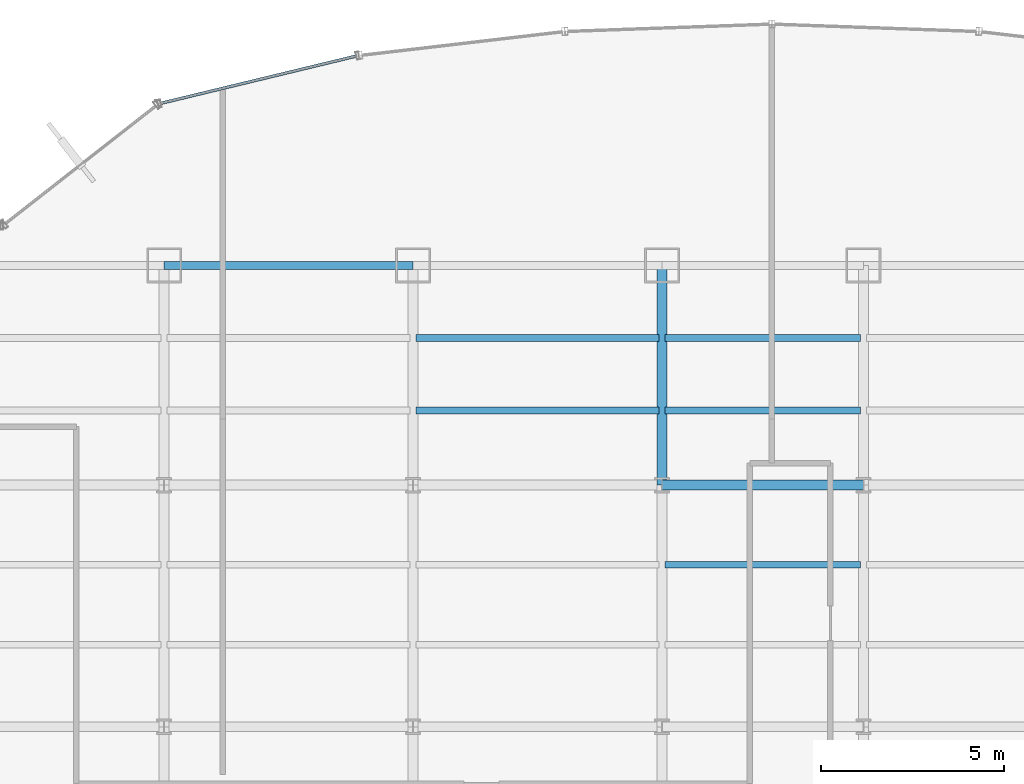
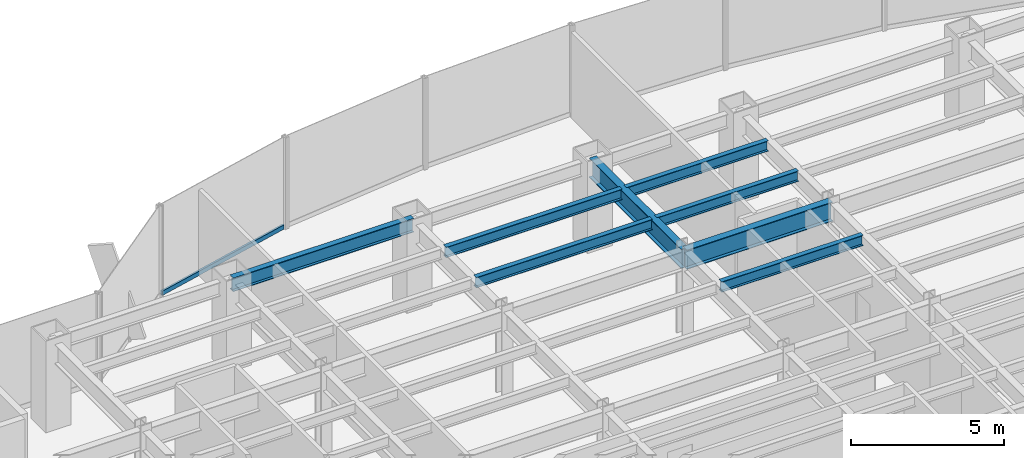
# One storey, part 12 of 23: 8 beams, 1 member, 1 element without a shape of its own.
"""IFC4 building model written with IfcOpenShell, lengths in metres."""

from ifc_helpers import new_model, si_unit, derived_unit, direction, frame, origin, origin_2d, place, context, subcontext, project, spatial, hollow_rectangle, i_section, extrude, source, transform, mapped, material, material_profile, profile_set, type_object, element, aggregate, save


model = new_model("IFC4")

# Units and contexts
model_context = context("Model", 3, precision=1e-05, world=origin(), true_north=direction((0.0, 1.0)))
body_context = subcontext(model_context, "Body", "Model", "MODEL_VIEW")
ifc_project = project(units=[si_unit("LENGTHUNIT", "METRE"), si_unit("AREAUNIT", "SQUARE_METRE"), si_unit("VOLUMEUNIT", "CUBIC_METRE"), si_unit("PLANEANGLEUNIT", "RADIAN"), si_unit("MASSUNIT", "GRAM", prefix="KILO"), derived_unit("THERMALTRANSMITTANCEUNIT", [(si_unit("POWERUNIT", "WATT"), 1), (si_unit("LENGTHUNIT", "METRE"), -2), (si_unit("THERMODYNAMICTEMPERATUREUNIT", "KELVIN"), -1)])], contexts=[model_context])

# Site, building, storey
site_placement = place(None, origin())
site = spatial("IfcSite", under=ifc_project, at=site_placement, CompositionType="ELEMENT")
building_placement = place(site_placement, origin())
building = spatial("IfcBuilding", under=site, at=building_placement, Name="Skarnbrae Concourse Arena and Tower", CompositionType="ELEMENT")
storey_placement = place(building_placement, frame((0.0, 0.0, 43.449951171875)))
storey = spatial("IfcBuildingStorey", under=building, at=storey_placement, Name="L09", CompositionType="ELEMENT", Elevation=43.449951171875)

# Beams
ifc_material_1 = material(Name="Steel CSA G40.21 350W", Category="steel")
ifc_material_profile_1 = material_profile(ifc_material_1, i_section(OverallWidth=0.26806640625, OverallDepth=0.77001953125, WebThickness=0.015625, FlangeThickness=0.025390625, at=origin_2d()), Name="W760X196")
ifc_profile_set_1 = profile_set([ifc_material_profile_1], Name="Steel CSA G40.21 350W")
beam_type_1 = type_object("IfcBeamType", Name="BM-GIRD-W760X196", PredefinedType="BEAM", material=ifc_profile_set_1)
shared_shape_1 = source(origin(), body_context, "Body", "SweptSolid", [
    extrude(i_section(OverallWidth=0.26806640625, OverallDepth=0.77001953125, WebThickness=0.015625, FlangeThickness=0.025390625, at=origin_2d()), origin(), (0.0, 0.0, 1.0), 5.5),
])
beam_1_placement = place(storey_placement, frame((28.0, 34.39990234375, 3.01513671875), z_axis=(1.0, 0.0, 0.0), x_axis=(0.0, 1.0, 0.0)))
element("IfcBeam", 1, at=beam_1_placement, inside=storey, type_object=beam_type_1, Name="L09 Primary E-W girder Y34.4-5", PredefinedType="BEAM", context=body_context, shape_type="MappedRepresentation", body=[
    mapped(shared_shape_1, transform((0.0, 0.0, 0.0))),
])
shared_shape_2 = source(origin(), body_context, "Body", "SweptSolid", [
    extrude(i_section(OverallWidth=0.26806640625, OverallDepth=0.77001953125, WebThickness=0.015625, FlangeThickness=0.025390625, at=origin_2d()), origin(), (0.0, 0.0, 1.0), 6.0),
])
beam_2_placement = place(storey_placement, frame((28.0, 34.39990234375, 3.01513671875), z_axis=(0.0, 1.0, 0.0), x_axis=(-1.0, 0.0, 0.0)))
element("IfcBeam", 2, at=beam_2_placement, inside=storey, type_object=beam_type_1, Name="L09 Primary N-S girder X28.0-4", PredefinedType="BEAM", context=body_context, shape_type="MappedRepresentation", body=[
    mapped(shared_shape_2, transform((0.0, 0.0, 0.0))),
])
ifc_material_profile_2 = material_profile(ifc_material_1, i_section(OverallWidth=0.214111328125, OverallDepth=0.549072265625, WebThickness=0.0146484375, FlangeThickness=0.023681640625, at=origin_2d()), Name="W530X138")
ifc_profile_set_2 = profile_set([ifc_material_profile_2], Name="Steel CSA G40.21 350W")
beam_type_2 = type_object("IfcBeamType", Name="BM-SPAN-W530X138", PredefinedType="SPANDREL", material=ifc_profile_set_2)
shared_shape_3 = source(origin(), body_context, "Body", "SweptSolid", [
    extrude(i_section(OverallWidth=0.214111328125, OverallDepth=0.549072265625, WebThickness=0.0146484375, FlangeThickness=0.023681640625, at=origin_2d()), origin(), (0.0, 0.0, 1.0), 6.800048828125),
])
beam_3_placement = place(storey_placement, frame((14.39990234375, 40.39990234375, 3.12548828125), z_axis=(1.0, 0.0, 0.0), x_axis=(0.0, 1.0, 0.0)))
element("IfcBeam", 3, at=beam_3_placement, inside=storey, type_object=beam_type_2, Name="L09 Perimeter spandrel Y40.4-2", PredefinedType="SPANDREL", context=body_context, shape_type="MappedRepresentation", body=[
    mapped(shared_shape_3, transform((0.0, 0.0, 0.0))),
])
ifc_material_profile_3 = material_profile(ifc_material_1, i_section(OverallWidth=0.180908203125, OverallDepth=0.4169921875, WebThickness=0.010986328125, FlangeThickness=0.018310546875, at=origin_2d()), Name="W410X85")
ifc_profile_set_3 = profile_set([ifc_material_profile_3], Name="Steel CSA G40.21 350W")
beam_type_3 = type_object("IfcBeamType", Name="BM-JOIST-W410X85", PredefinedType="JOIST", material=ifc_profile_set_3)
shared_shape_4 = source(origin(), body_context, "Body", "SweptSolid", [
    extrude(i_section(OverallWidth=0.180908203125, OverallDepth=0.4169921875, WebThickness=0.010986328125, FlangeThickness=0.018310546875, at=origin_2d()), origin(), (0.0, 0.0, 1.0), 6.639892578125),
])
for number, where, z_axis, x_axis, name in (
    (4, (21.280029296875, 36.43994140625, 3.191650390625), (1.0, 0.0, 0.0), (0.0, 1.0, 0.0), "L09 Secondary floor joist 4.1.3"),
    (5, (21.280029296875, 38.419921875, 3.191650390625), (1.0, 0.0, 0.0), (0.0, 1.0, 0.0), "L09 Secondary floor joist 4.2.3"),
):
    element("IfcBeam", number, at=place(storey_placement, frame(where, z_axis=z_axis, x_axis=x_axis)), inside=storey, type_object=beam_type_3, Name=name, PredefinedType="JOIST", context=body_context, shape_type="MappedRepresentation", body=[
        mapped(shared_shape_4, transform((0.0, 0.0, 0.0))),
    ])
shared_shape_5 = source(origin(), body_context, "Body", "SweptSolid", [
    extrude(i_section(OverallWidth=0.180908203125, OverallDepth=0.4169921875, WebThickness=0.010986328125, FlangeThickness=0.018310546875, at=origin_2d()), origin(), (0.0, 0.0, 1.0), 5.33984375),
])
for number, where, z_axis, x_axis, name in (
    (6, (28.080078125, 32.221923828125, 3.191650390625), (1.0, 0.0, 0.0), (0.0, 1.0, 0.0), "L09 Secondary floor joist 3.2.5"),
    (7, (28.080078125, 36.43994140625, 3.191650390625), (1.0, 0.0, 0.0), (0.0, 1.0, 0.0), "L09 Secondary floor joist 4.1.4"),
    (8, (28.080078125, 38.419921875, 3.191650390625), (1.0, 0.0, 0.0), (0.0, 1.0, 0.0), "L09 Secondary floor joist 4.2.4"),
):
    element("IfcBeam", number, at=place(storey_placement, frame(where, z_axis=z_axis, x_axis=x_axis)), inside=storey, type_object=beam_type_3, Name=name, PredefinedType="JOIST", context=body_context, shape_type="MappedRepresentation", body=[
        mapped(shared_shape_5, transform((0.0, 0.0, 0.0))),
    ])

# Curtain wall, member
ifc_material_2 = material(Name="Bronze anodised aluminium 6063-T6", Category="aluminium")
curtain_wall_type = type_object("IfcCurtainWallType", Name="CW-SYS-03-PORTAL", PredefinedType="USERDEFINED", material=ifc_material_2)
curtain_wall_placement = place(storey_placement, origin())
curtain_wall = element("IfcCurtainWall", 9, at=curtain_wall_placement, inside=storey, type_object=curtain_wall_type, Name="L09 Unitised curtain wall CW-L09-E14", ObjectType="UNITISED CURTAIN WALL", PredefinedType="USERDEFINED")
ifc_material_profile_4 = material_profile(ifc_material_2, hollow_rectangle(XDim=0.080078125, YDim=0.169921875, WallThickness=0.00439453125, at=origin_2d()), Name="ALU-TRAN-80X170")
ifc_profile_set_4 = profile_set([ifc_material_profile_4], Name="Bronze anodised aluminium 6063-T6")
member_type = type_object("IfcMemberType", Name="CWT-CW-03", PredefinedType="USERDEFINED", material=ifc_profile_set_4)
shared_shape_6 = source(origin(), body_context, "Body", "SweptSolid", [
    extrude(hollow_rectangle(XDim=0.080078125, YDim=0.169921875, WallThickness=0.00439453125, at=origin_2d()), origin(), (0.0, 0.0, 1.0), 5.4921875),
])
member_placement = place(storey_placement, frame((19.64990234375, 46.12158203125, 0.0849609375), z_axis=(-0.971980728004, -0.235060554728, 0.0), x_axis=(0.235060554728, -0.971980728004, 0.0)))
member = element("IfcMember", 10, at=member_placement, type_object=member_type, Name="CW-L09-E14 Transom 1", ObjectType="TRANSOM", PredefinedType="USERDEFINED", context=body_context, shape_type="MappedRepresentation", body=[
    mapped(shared_shape_6, transform((0.0, 0.0, 0.0))),
])
aggregate(curtain_wall, [member])

save(model, "model.ifc")
